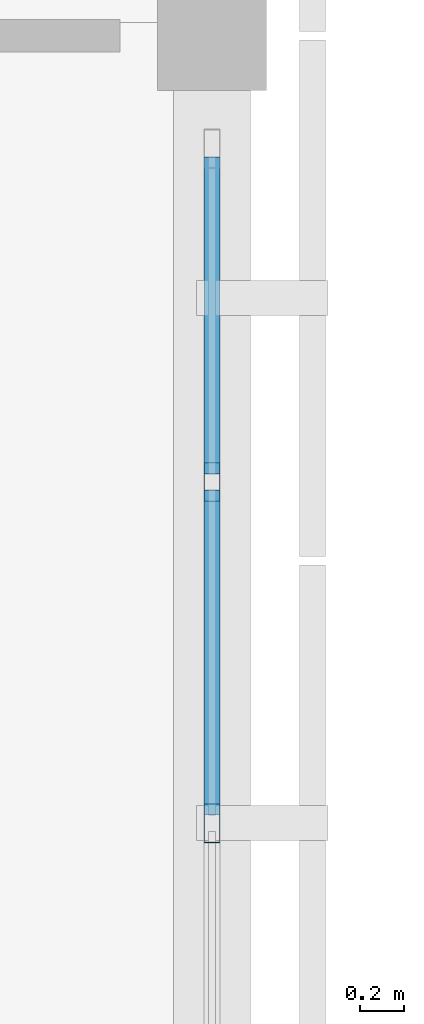
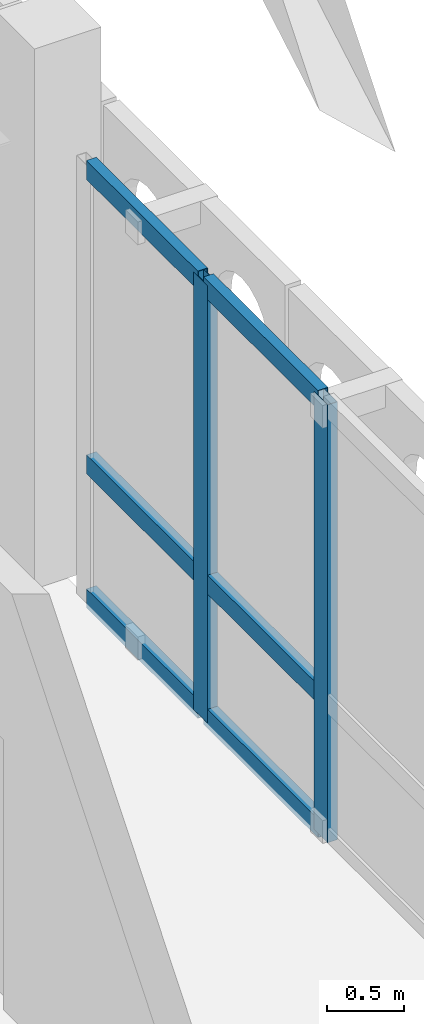
# One storey, part 41 of 171: 8 members, 1 element without a shape of its own.
"""IFC4 building model written with IfcOpenShell, lengths in metres."""

from ifc_helpers import new_model, si_unit, direction, frame, origin, origin_2d, place, context, subcontext, project, spatial, hollow_rectangle, extrude, material, material_profile, profile_set, type_object, element, aggregate, save


model = new_model("IFC4")

# Units and contexts
model_context = context("Model", 3, precision=1e-05, world=origin(), true_north=direction((0.0, 1.0)))
body_context = subcontext(model_context, "Body", "Model", "MODEL_VIEW")
ifc_project = project(units=[si_unit("LENGTHUNIT", "METRE"), si_unit("AREAUNIT", "SQUARE_METRE"), si_unit("VOLUMEUNIT", "CUBIC_METRE"), si_unit("PLANEANGLEUNIT", "RADIAN"), si_unit("MASSUNIT", "GRAM", prefix="KILO")], contexts=[model_context])

# Site, building, storey
site_placement = place(None, origin())
site = spatial("IfcSite", under=ifc_project, at=site_placement, CompositionType="ELEMENT")
building_placement = place(site_placement, origin())
building = spatial("IfcBuilding", under=site, at=building_placement, Name="Aldebral Square Health Centre", CompositionType="ELEMENT")
storey_placement = place(building_placement, frame((0.0, 0.0, 4.5)))
storey = spatial("IfcBuildingStorey", under=building, at=storey_placement, Name="L01", CompositionType="ELEMENT", Elevation=4.5)

# Curtain wall, members
ifc_material_1 = material(Name="Aluminium and low-E solar glass", Category="aluminium")
curtain_wall_type = type_object("IfcCurtainWallType", Name="CW-HALL-SYS", PredefinedType="USERDEFINED", material=ifc_material_1)
curtain_wall_placement = place(storey_placement, origin())
curtain_wall = element("IfcCurtainWall", 1, at=curtain_wall_placement, inside=storey, type_object=curtain_wall_type, Name="L01 V1 hall curtain wall L01-V1-14-10-E", ObjectType="HALL_CURTAIN_WALL", PredefinedType="USERDEFINED")
ifc_material_2 = material(Name="Anodised aluminium mullion", Category="aluminium")
ifc_material_profile_1 = material_profile(ifc_material_2, hollow_rectangle(XDim=0.074951171875, YDim=0.179931640625, WallThickness=0.00390625, at=origin_2d()), Name="CWM 75x180x4")
ifc_profile_set_1 = profile_set([ifc_material_profile_1], Name="Anodised aluminium mullion")
member_type_1 = type_object("IfcMemberType", Name="CWM-STD", PredefinedType="MULLION", material=ifc_profile_set_1)
member_1_placement = place(storey_placement, frame((108.0, 75.60009765625, 0.0), z_axis=(0.0, 0.0, 1.0), x_axis=(-1.0, 0.0, 0.0)))
member_1 = element("IfcMember", 2, at=member_1_placement, type_object=member_type_1, Name="CW2 mullion 3", PredefinedType="MULLION", context=body_context, shape_type="SweptSolid", body=[
    extrude(hollow_rectangle(XDim=0.074951171875, YDim=0.179931640625, WallThickness=0.00390625, at=origin_2d()), origin(), (0.0, 0.0, 1.0), 3.469970703125),
])
member_2_placement = place(storey_placement, frame((108.0, 77.159912109375, 0.0), z_axis=(0.0, 0.0, 1.0), x_axis=(-1.0, 0.0, 0.0)))
member_2 = element("IfcMember", 3, at=member_2_placement, type_object=member_type_1, Name="CW2 mullion 4", PredefinedType="MULLION", context=body_context, shape_type="SweptSolid", body=[
    extrude(hollow_rectangle(XDim=0.074951171875, YDim=0.179931640625, WallThickness=0.00390625, at=origin_2d()), origin(), (0.0, 0.0, 1.0), 3.469970703125),
])
ifc_material_3 = material(Name="Anodised aluminium transom", Category="aluminium")
ifc_material_profile_2 = material_profile(ifc_material_3, hollow_rectangle(XDim=0.074951171875, YDim=0.14990234375, WallThickness=0.00390625, at=origin_2d()), Name="CWT 75x150x4")
ifc_profile_set_2 = profile_set([ifc_material_profile_2], Name="Anodised aluminium transom")
member_type_2 = type_object("IfcMemberType", Name="CWT-STD", PredefinedType="USERDEFINED", material=ifc_profile_set_2)
member_3_placement = place(storey_placement, frame((108.0, 75.637451171875, 0.03759765625), z_axis=(0.0, 1.0, 0.0), x_axis=(-1.0, 0.0, 0.0)))
member_3 = element("IfcMember", 4, at=member_3_placement, type_object=member_type_2, Name="CW2 transom 3.1", ObjectType="TRANSOM", PredefinedType="USERDEFINED", context=body_context, shape_type="SweptSolid", body=[
    extrude(hollow_rectangle(XDim=0.074951171875, YDim=0.14990234375, WallThickness=0.00390625, at=origin_2d()), origin(), (0.0, 0.0, 1.0), 1.485107421875),
])
member_4_placement = place(storey_placement, frame((108.0, 75.637451171875, 1.10009765625), z_axis=(0.0, 1.0, 0.0), x_axis=(-1.0, 0.0, 0.0)))
member_4 = element("IfcMember", 5, at=member_4_placement, type_object=member_type_2, Name="CW2 transom 3.2", ObjectType="TRANSOM", PredefinedType="USERDEFINED", context=body_context, shape_type="SweptSolid", body=[
    extrude(hollow_rectangle(XDim=0.074951171875, YDim=0.14990234375, WallThickness=0.00390625, at=origin_2d()), origin(), (0.0, 0.0, 1.0), 1.485107421875),
])
member_5_placement = place(storey_placement, frame((108.0, 75.637451171875, 3.4326171875), z_axis=(0.0, 1.0, 0.0), x_axis=(-1.0, 0.0, 0.0)))
member_5 = element("IfcMember", 6, at=member_5_placement, type_object=member_type_2, Name="CW2 transom 3.3", ObjectType="TRANSOM", PredefinedType="USERDEFINED", context=body_context, shape_type="SweptSolid", body=[
    extrude(hollow_rectangle(XDim=0.074951171875, YDim=0.14990234375, WallThickness=0.00390625, at=origin_2d()), origin(), (0.0, 0.0, 1.0), 1.485107421875),
])
member_6_placement = place(storey_placement, frame((108.0, 77.197509765625, 0.03759765625), z_axis=(0.0, 1.0, 0.0), x_axis=(-1.0, 0.0, 0.0)))
member_6 = element("IfcMember", 7, at=member_6_placement, type_object=member_type_2, Name="CW2 transom 4.1", ObjectType="TRANSOM", PredefinedType="USERDEFINED", context=body_context, shape_type="SweptSolid", body=[
    extrude(hollow_rectangle(XDim=0.074951171875, YDim=0.14990234375, WallThickness=0.00390625, at=origin_2d()), origin(), (0.0, 0.0, 1.0), 1.447509765625),
])
member_7_placement = place(storey_placement, frame((108.0, 77.197509765625, 1.10009765625), z_axis=(0.0, 1.0, 0.0), x_axis=(-1.0, 0.0, 0.0)))
member_7 = element("IfcMember", 8, at=member_7_placement, type_object=member_type_2, Name="CW2 transom 4.2", ObjectType="TRANSOM", PredefinedType="USERDEFINED", context=body_context, shape_type="SweptSolid", body=[
    extrude(hollow_rectangle(XDim=0.074951171875, YDim=0.14990234375, WallThickness=0.00390625, at=origin_2d()), origin(), (0.0, 0.0, 1.0), 1.447509765625),
])
member_8_placement = place(storey_placement, frame((108.0, 77.197509765625, 3.4326171875), z_axis=(0.0, 1.0, 0.0), x_axis=(-1.0, 0.0, 0.0)))
member_8 = element("IfcMember", 9, at=member_8_placement, type_object=member_type_2, Name="CW2 transom 4.3", ObjectType="TRANSOM", PredefinedType="USERDEFINED", context=body_context, shape_type="SweptSolid", body=[
    extrude(hollow_rectangle(XDim=0.074951171875, YDim=0.14990234375, WallThickness=0.00390625, at=origin_2d()), origin(), (0.0, 0.0, 1.0), 1.447509765625),
])
aggregate(curtain_wall, [member_1, member_2, member_3, member_4, member_5, member_6, member_7, member_8])

save(model, "model.ifc")
